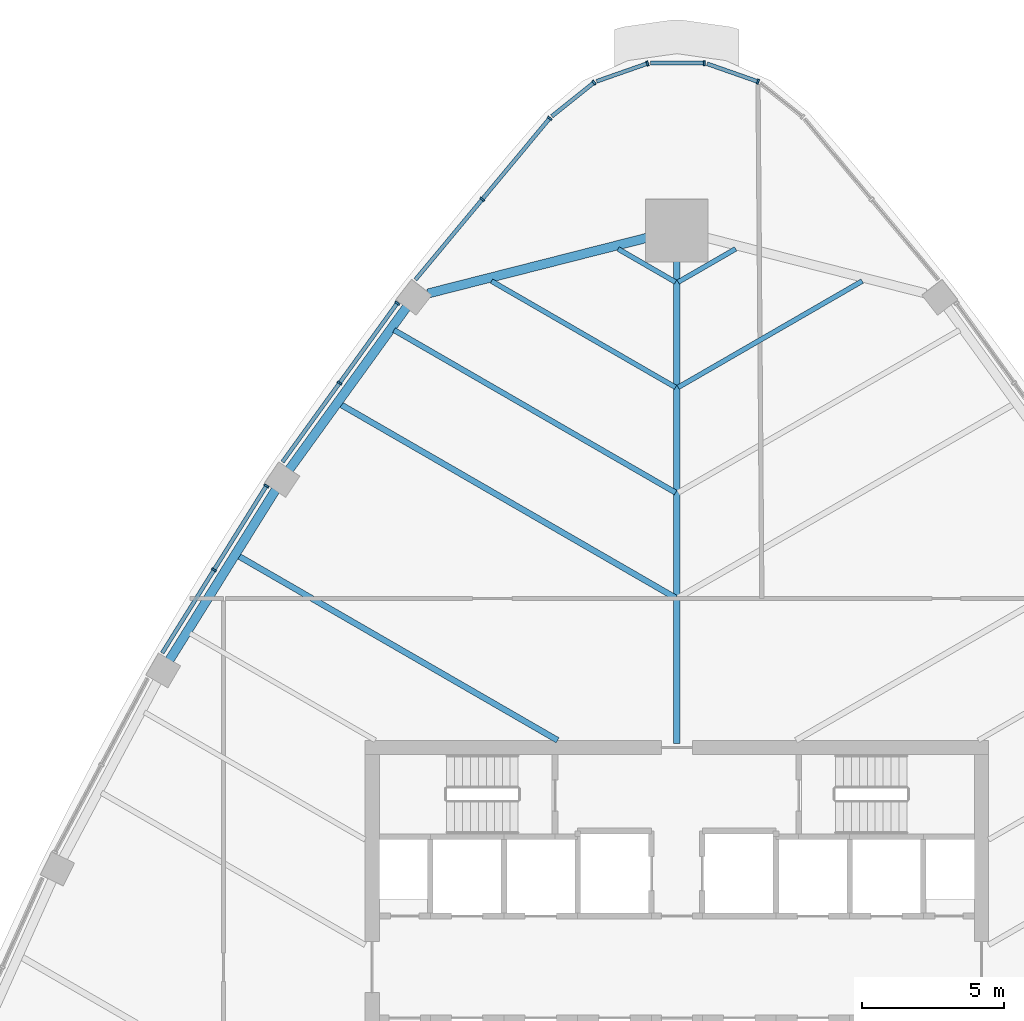
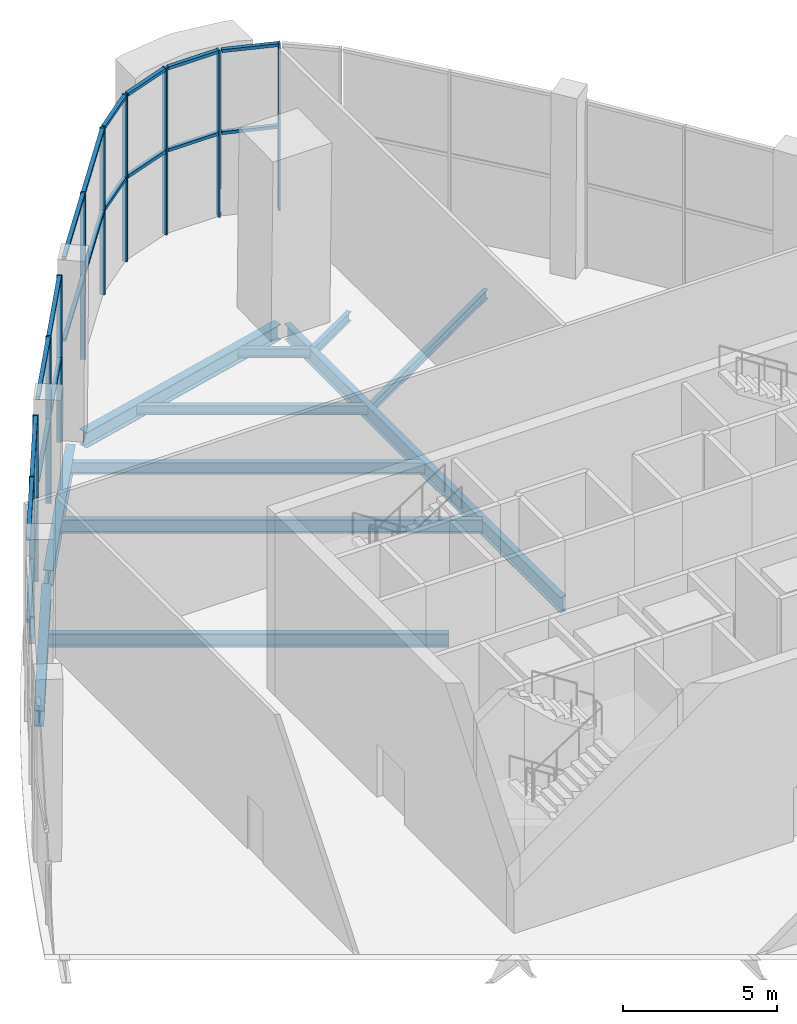
# One storey, part 6 of 15: 30 members, 11 beams, 7 elements without a shape of their own.
"""IFC4 building model written with IfcOpenShell, lengths in metres."""

import ifcopenshell
import ifcopenshell.guid

model = None  # the IFC model being written
_history = None  # IfcOwnerHistory: only IFC2X3 demands one
_inside = {}  # id of a spatial element -> (the spatial element, [elements in it])
_under = {}  # id of a project, library or spatial element -> (it, [spatial elements below it])
_declared = {}  # id of a project -> (the project, [libraries it declares])
_typed = {}  # id of a type object -> (the type object, [elements of that type])
_made_of = {}  # id of a material, layer set ... -> (it, [elements and type objects made of it])


def new_model(schema):
    """Start an empty IFC model of exactly this schema.

    Asked for "IFC4X3", IfcOpenShell would pick the latest addendum, in which some entities
    have other attributes; the version numbers below select the first issue.
    IFC2X3 requires an IfcOwnerHistory on every rooted entity: one is made here for all.
    """
    global model, _history
    if schema == "IFC4X3":
        model = ifcopenshell.file(schema_version=(4, 3, 0, 0))
    else:
        model = ifcopenshell.file(schema=schema)
    _inside.clear()
    _under.clear()
    _declared.clear()
    _typed.clear()
    _made_of.clear()
    _history = None
    if model.schema == "IFC2X3":
        org = make("IfcOrganization", Name="unknown")
        user = make(
            "IfcPersonAndOrganization",
            ThePerson=make("IfcPerson", FamilyName="unknown"),
            TheOrganization=org,
        )
        app = make(
            "IfcApplication",
            ApplicationDeveloper=org,
            Version="unknown",
            ApplicationFullName="unknown",
            ApplicationIdentifier="unknown",
        )
        _history = make(
            "IfcOwnerHistory",
            OwningUser=user,
            OwningApplication=app,
            ChangeAction="ADDED",
            CreationDate=0,
        )
    return model


def make(cls, **values):
    """One entity of the class cls with the attributes given. An attribute that is None is left unset."""
    return model.create_entity(
        cls, **{name: value for name, value in values.items() if value is not None}
    )


def rooted(cls, **values):
    """An entity with a GlobalId (a new one), such as an element, a storey or a relation."""
    return make(cls, GlobalId=ifcopenshell.guid.new(), OwnerHistory=_history, **values)


def si_unit(unit_type, name, prefix=None):
    """IfcSIUnit, for example si_unit("LENGTHUNIT", "METRE", prefix="MILLI")."""
    return make("IfcSIUnit", UnitType=unit_type, Prefix=prefix, Name=name)


def assignment(units):
    """IfcUnitAssignment: the units of a project."""
    return None if units is None else make("IfcUnitAssignment", Units=units)


def point(xyz):
    """IfcCartesianPoint."""
    return None if xyz is None else make("IfcCartesianPoint", Coordinates=xyz)


def direction(xyz):
    """IfcDirection."""
    return None if xyz is None else make("IfcDirection", DirectionRatios=xyz)


def frame(location, z_axis=None, x_axis=None):
    """IfcAxis2Placement3D, a coordinate frame: its origin and axes. An axis left out is left unset."""
    return make(
        "IfcAxis2Placement3D",
        Location=point(location),
        Axis=direction(z_axis),
        RefDirection=direction(x_axis),
    )


def frame_2d(location, x_axis=None):
    """IfcAxis2Placement2D, a coordinate frame in the plane: its origin and x axis."""
    return make(
        "IfcAxis2Placement2D", Location=point(location), RefDirection=direction(x_axis)
    )


def origin():
    """The frame at (0, 0, 0) with its axes left unset."""
    return frame((0.0, 0.0, 0.0))


def origin_2d():
    """The frame at (0, 0) in the plane with its x axis left unset."""
    return frame_2d((0.0, 0.0))


def place(relative_to, where):
    """IfcLocalPlacement: puts the frame where relative to a parent placement (None: the world)."""
    return make(
        "IfcLocalPlacement", PlacementRelTo=relative_to, RelativePlacement=where
    )


def context(
    kind, dimensions, precision=None, world=None, true_north=None, identifier=None
):
    """IfcGeometricRepresentationContext, for example the 3D "Model" context."""
    return make(
        "IfcGeometricRepresentationContext",
        ContextIdentifier=identifier,
        ContextType=kind,
        CoordinateSpaceDimension=dimensions,
        Precision=precision,
        WorldCoordinateSystem=world,
        TrueNorth=true_north,
    )


def subcontext(parent, identifier, kind, view, scale=None):
    """IfcGeometricRepresentationSubContext, for example "Body" below "Model"."""
    return make(
        "IfcGeometricRepresentationSubContext",
        ContextIdentifier=identifier,
        ContextType=kind,
        ParentContext=parent,
        TargetScale=scale,
        TargetView=view,
    )


def project(units=None, contexts=None):
    """IfcProject with its units and contexts."""
    return rooted(
        "IfcProject",
        Name="project",
        RepresentationContexts=contexts,
        UnitsInContext=assignment(units),
    )


def spatial(cls, under=None, at=None, **own):
    """A site, building, storey or space (cls), placed at a placement, below another one or the project."""
    s = rooted(cls, ObjectPlacement=at, **own)
    if under is not None:
        _under.setdefault(under.id(), (under, []))[1].append(s)
    return s


def profile(cls, at=None, kind="AREA", **sizes):
    """A parametric profile (cls). Its sizes go by their IFC names, for example OverallWidth=200.0."""
    return make(cls, ProfileType=kind, Position=at, **sizes)


def rectangle(**sizes):
    """IfcRectangleProfileDef."""
    return profile("IfcRectangleProfileDef", **sizes)


def i_section(**sizes):
    """IfcIShapeProfileDef."""
    return profile("IfcIShapeProfileDef", **sizes)


def extrude(swept, where, along, depth):
    """IfcExtrudedAreaSolid: the profile swept, set in the frame where, extruded along a direction by depth."""
    return make(
        "IfcExtrudedAreaSolid",
        SweptArea=swept,
        Position=where,
        ExtrudedDirection=direction(along),
        Depth=depth,
    )


def shape(context_of_items, identifier, shape_type, items):
    """IfcShapeRepresentation: the items that make up one representation, for example the "Body"."""
    return make(
        "IfcShapeRepresentation",
        ContextOfItems=context_of_items,
        RepresentationIdentifier=identifier,
        RepresentationType=shape_type,
        Items=items,
    )


def material(Name=None, Category=None):
    """IfcMaterial."""
    return make("IfcMaterial", Name=Name, Category=Category)


def layer(
    of_material, thickness, ventilated=None, Name=None, Category=None, Priority=None
):
    """IfcMaterialLayer: one layer of a wall or slab, of a material (None: an air gap)."""
    return make(
        "IfcMaterialLayer",
        Material=of_material,
        LayerThickness=thickness,
        IsVentilated=ventilated,
        Name=Name,
        Category=Category,
        Priority=Priority,
    )


def layer_set(layers, Name=None):
    """IfcMaterialLayerSet."""
    return make("IfcMaterialLayerSet", MaterialLayers=layers, LayerSetName=Name)


def material_profile(
    of_material, cross_section, Name=None, Category=None, Priority=None
):
    """IfcMaterialProfile: a cross section and its material."""
    return make(
        "IfcMaterialProfile",
        Name=Name,
        Material=of_material,
        Profile=cross_section,
        Priority=Priority,
        Category=Category,
    )


def profile_set(profiles, Name=None, composite=None):
    """IfcMaterialProfileSet."""
    return make(
        "IfcMaterialProfileSet",
        Name=Name,
        MaterialProfiles=profiles,
        CompositeProfile=composite,
    )


def made_of(thing, what):
    """Note that an element or type object is made of a material, layer set ...; save() writes the relation."""
    if what is not None:
        _made_of.setdefault(what.id(), (what, []))[1].append(thing)
    return thing


def type_object(cls, material=None, **own):
    """A type object (cls), such as IfcWallType, which elements share."""
    return made_of(rooted(cls, **own), material)


def element(
    cls,
    number,
    at=None,
    inside=None,
    cuts=None,
    type_object=None,
    material=None,
    context=None,
    identifier="Body",
    shape_type=None,
    held_by="IfcProductDefinitionShape",
    body=None,
    shapes=None,
    **own,
):
    """One element of the class cls, such as IfcWall. Its Tag is "e" and its number.

    at: its placement. inside: the storey or other place that contains it. cuts: it is an
    opening in that element (IfcRelVoidsElement). A single representation is given by context,
    identifier, shape_type and body (its items); several are given by shapes. held_by: the class
    of the entity that holds the representations. save() writes the other relations.
    """
    e = rooted(cls, Tag="e%d" % number, ObjectPlacement=at, **own)
    if body is not None:
        shapes = [shape(context, identifier, shape_type, body)]
    if shapes is not None:
        e.Representation = make(held_by, Representations=shapes)
    if inside is not None:
        _inside.setdefault(inside.id(), (inside, []))[1].append(e)
    if cuts is not None:
        rooted(
            "IfcRelVoidsElement", RelatingBuildingElement=cuts, RelatedOpeningElement=e
        )
    if type_object is not None:
        _typed.setdefault(type_object.id(), (type_object, []))[1].append(e)
    return made_of(e, material)


def aggregate(whole, parts):
    """IfcRelAggregates: a whole, such as a stair, and the parts it consists of."""
    return rooted("IfcRelAggregates", RelatingObject=whole, RelatedObjects=parts)


def save(model, path):
    """Write the relations noted so far, then the file.

    IfcRelAggregates (storeys below a building ...), IfcRelContainedInSpatialStructure (elements
    in a storey), IfcRelDefinesByType, IfcRelAssociatesMaterial and IfcRelDeclares: one each for
    every whole, place, type object, material and project.
    """
    for whole, parts in _under.values():
        aggregate(whole, parts)
    for where, things in _inside.values():
        rooted(
            "IfcRelContainedInSpatialStructure",
            RelatedElements=things,
            RelatingStructure=where,
        )
    for kind, things in _typed.values():
        rooted("IfcRelDefinesByType", RelatedObjects=things, RelatingType=kind)
    for what, things in _made_of.values():
        rooted("IfcRelAssociatesMaterial", RelatedObjects=things, RelatingMaterial=what)
    for by, libraries in _declared.values():
        rooted("IfcRelDeclares", RelatingContext=by, RelatedDefinitions=libraries)
    model.write(path)


model = new_model("IFC4")

# Units and contexts
model_context = context("Model", 3, precision=1e-05, world=origin(), true_north=direction((0.0, 1.0)))
body_context = subcontext(model_context, "Body", "Model", "MODEL_VIEW")
ifc_project = project(units=[si_unit("LENGTHUNIT", "METRE"), si_unit("AREAUNIT", "SQUARE_METRE"), si_unit("VOLUMEUNIT", "CUBIC_METRE"), si_unit("PLANEANGLEUNIT", "RADIAN"), si_unit("MASSUNIT", "GRAM", prefix="KILO")], contexts=[model_context])

# Site, building, storey
site_placement = place(None, origin())
site = spatial("IfcSite", under=ifc_project, at=site_placement, CompositionType="ELEMENT")
building_placement = place(site_placement, origin())
building = spatial("IfcBuilding", under=site, at=building_placement, Name="Sierra Prisma Convention Tower", CompositionType="ELEMENT")
storey_placement = place(building_placement, frame((0.0, 0.0, 219.800048828125)))
storey = spatial("IfcBuildingStorey", under=building, at=storey_placement, Name="L49", CompositionType="ELEMENT", Elevation=219.800048828125)

# Curtain wall, member
ifc_material_1 = material(Name="Aluminium and glass curtain wall", Category="aluminium")
ifc_layer = layer(ifc_material_1, 0.179931640625)
ifc_layer_set = layer_set([ifc_layer], Name="CW-4 Sky lobby double-height curtain wall")
curtain_wall_type = type_object("IfcCurtainWallType", Name="CW-4 Sky lobby double-height curtain wall", PredefinedType="NOTDEFINED", material=ifc_layer_set)
curtain_wall_1_placement = place(storey_placement, origin())
curtain_wall_1 = element("IfcCurtainWall", 1, at=curtain_wall_1_placement, inside=storey, type_object=curtain_wall_type, Name="CW-4 N2 L49", PredefinedType="NOTDEFINED")
ifc_material_2 = material(Name="Aluminium 6063-T6 bronze anodised", Category="aluminium")
ifc_material_profile_1 = material_profile(ifc_material_2, rectangle(XDim=0.179931640625, YDim=0.070068359375, at=origin_2d()), Name="ALU MULLION 70x180")
ifc_profile_set_1 = profile_set([ifc_material_profile_1], Name="Aluminium 6063-T6 bronze anodised")
member_type_1 = type_object("IfcMemberType", Name="CW mullion bronze", PredefinedType="MULLION", material=ifc_profile_set_1)
member_1_placement = place(storey_placement, frame((2.86376953125, 31.240478515625, 0.0), z_axis=(0.0, 0.0, 1.0), x_axis=(-0.330867723447, -0.943677142661, 0.0)))
member_1 = element("IfcMember", 2, at=member_1_placement, type_object=member_type_1, Name="CW-4 mullion N2.1", PredefinedType="MULLION", context=body_context, shape_type="SweptSolid", body=[
    extrude(rectangle(XDim=0.179931640625, YDim=0.070068359375, at=origin_2d()), origin(), (0.0, 0.0, 1.0), 6.599853515625),
])

curtain_wall_2_placement = place(storey_placement, origin())
curtain_wall_2 = element("IfcCurtainWall", 3, at=curtain_wall_2_placement, inside=storey, type_object=curtain_wall_type, Name="CW-4 N3 L49", PredefinedType="NOTDEFINED")
member_2_placement = place(storey_placement, frame((0.96826171875, 31.892822265625, 0.0), z_axis=(0.0, 0.0, 1.0), x_axis=(0.0, -1.0, 0.0)))
member_2 = element("IfcMember", 4, at=member_2_placement, type_object=member_type_1, Name="CW-4 mullion N3.1", PredefinedType="MULLION", context=body_context, shape_type="SweptSolid", body=[
    extrude(rectangle(XDim=0.179931640625, YDim=0.070068359375, at=origin_2d()), origin(), (0.0, 0.0, 1.0), 6.599853515625),
])

curtain_wall_3_placement = place(storey_placement, origin())
curtain_wall_3 = element("IfcCurtainWall", 5, at=curtain_wall_3_placement, inside=storey, type_object=curtain_wall_type, Name="CW-4 N4 L49", PredefinedType="NOTDEFINED")
member_3_placement = place(storey_placement, frame((-1.036376953125, 31.881103515625, 0.0), z_axis=(0.0, 0.0, 1.0), x_axis=(0.330867723447, -0.943677142661, 0.0)))
member_3 = element("IfcMember", 6, at=member_3_placement, type_object=member_type_1, Name="CW-4 mullion N4.1", PredefinedType="MULLION", context=body_context, shape_type="SweptSolid", body=[
    extrude(rectangle(XDim=0.179931640625, YDim=0.070068359375, at=origin_2d()), origin(), (0.0, 0.0, 1.0), 6.599853515625),
])

curtain_wall_4_placement = place(storey_placement, origin())
curtain_wall_4 = element("IfcCurtainWall", 7, at=curtain_wall_4_placement, inside=storey, type_object=curtain_wall_type, Name="CW-4 N5 L49", PredefinedType="NOTDEFINED")
member_4_placement = place(storey_placement, frame((-2.924072265625, 31.20703125, 0.0), z_axis=(0.0, 0.0, 1.0), x_axis=(0.624464615736, -0.781053099151, 0.0)))
member_4 = element("IfcMember", 8, at=member_4_placement, type_object=member_type_1, Name="CW-4 mullion N5.1", PredefinedType="MULLION", context=body_context, shape_type="SweptSolid", body=[
    extrude(rectangle(XDim=0.179931640625, YDim=0.070068359375, at=origin_2d()), origin(), (0.0, 0.0, 1.0), 6.599853515625),
])

# Curtain wall, members
curtain_wall_5_placement = place(storey_placement, origin())
curtain_wall_5 = element("IfcCurtainWall", 9, at=curtain_wall_5_placement, inside=storey, type_object=curtain_wall_type, Name="CW-4 NW1 L49", PredefinedType="NOTDEFINED")
member_5_placement = place(storey_placement, frame((-4.486572265625, 29.948974609375, 0.0), z_axis=(0.0, 0.0, 1.0), x_axis=(0.768875572968, -0.639398430787, 0.0)))
member_5 = element("IfcMember", 10, at=member_5_placement, type_object=member_type_1, Name="CW-4 mullion NW1.1", PredefinedType="MULLION", context=body_context, shape_type="SweptSolid", body=[
    extrude(rectangle(XDim=0.179931640625, YDim=0.070068359375, at=origin_2d()), origin(), (0.0, 0.0, 1.0), 6.599853515625),
])
member_6_placement = place(storey_placement, frame((-6.865966796875, 27.087646484375, 0.0), z_axis=(0.0, 0.0, 1.0), x_axis=(0.768875572968, -0.639398430787, 0.0)))
member_6 = element("IfcMember", 11, at=member_6_placement, type_object=member_type_1, Name="CW-4 mullion NW1.2", PredefinedType="MULLION", context=body_context, shape_type="SweptSolid", body=[
    extrude(rectangle(XDim=0.179931640625, YDim=0.070068359375, at=origin_2d()), origin(), (0.0, 0.0, 1.0), 6.599853515625),
])

curtain_wall_6_placement = place(storey_placement, origin())
curtain_wall_6 = element("IfcCurtainWall", 12, at=curtain_wall_6_placement, inside=storey, type_object=curtain_wall_type, Name="CW-4 NW2 L49", PredefinedType="NOTDEFINED")
member_7_placement = place(storey_placement, frame((-9.865478515625, 23.42431640625, 0.0), z_axis=(0.0, 0.0, 1.0), x_axis=(0.810571580605, -0.585639575776, 0.0)))
member_7 = element("IfcMember", 13, at=member_7_placement, type_object=member_type_1, Name="CW-4 mullion NW2.1", PredefinedType="MULLION", context=body_context, shape_type="SweptSolid", body=[
    extrude(rectangle(XDim=0.179931640625, YDim=0.070068359375, at=origin_2d()), origin(), (0.0, 0.0, 1.0), 6.599853515625),
])
member_8_placement = place(storey_placement, frame((-11.900146484375, 20.608154296875, 0.0), z_axis=(0.0, 0.0, 1.0), x_axis=(0.810571580605, -0.585639575776, 0.0)))
member_8 = element("IfcMember", 14, at=member_8_placement, type_object=member_type_1, Name="CW-4 mullion NW2.2", PredefinedType="MULLION", context=body_context, shape_type="SweptSolid", body=[
    extrude(rectangle(XDim=0.179931640625, YDim=0.070068359375, at=origin_2d()), origin(), (0.0, 0.0, 1.0), 6.599853515625),
])

curtain_wall_7_placement = place(storey_placement, origin())
curtain_wall_7 = element("IfcCurtainWall", 15, at=curtain_wall_7_placement, inside=storey, type_object=curtain_wall_type, Name="CW-4 NW3 L49", PredefinedType="NOTDEFINED")
member_9_placement = place(storey_placement, frame((-14.482177734375, 16.976806640625, 0.0), z_axis=(0.0, 0.0, 1.0), x_axis=(0.848515799689, -0.529170046089, 0.0)))
member_9 = element("IfcMember", 16, at=member_9_placement, type_object=member_type_1, Name="CW-4 mullion NW3.1", PredefinedType="MULLION", context=body_context, shape_type="SweptSolid", body=[
    extrude(rectangle(XDim=0.179931640625, YDim=0.070068359375, at=origin_2d()), origin(), (0.0, 0.0, 1.0), 6.599853515625),
])
member_10_placement = place(storey_placement, frame((-16.3291015625, 14.015380859375, 0.0), z_axis=(0.0, 0.0, 1.0), x_axis=(0.848515799689, -0.529170046089, 0.0)))
member_10 = element("IfcMember", 17, at=member_10_placement, type_object=member_type_1, Name="CW-4 mullion NW3.2", PredefinedType="MULLION", context=body_context, shape_type="SweptSolid", body=[
    extrude(rectangle(XDim=0.179931640625, YDim=0.070068359375, at=origin_2d()), origin(), (0.0, 0.0, 1.0), 6.599853515625),
])

# Member
ifc_material_3 = material(Name="Aluminium 6063-T6 bronze anodised", Category="aluminium")
ifc_material_profile_2 = material_profile(ifc_material_3, rectangle(XDim=0.139892578125, YDim=0.1201171875, at=origin_2d()), Name="ALU TRANSOM 120x140")
ifc_profile_set_2 = profile_set([ifc_material_profile_2], Name="Aluminium 6063-T6 bronze anodised")
member_type_2 = type_object("IfcMemberType", Name="CW transom bronze", PredefinedType="USERDEFINED", material=ifc_profile_set_2)
member_11_placement = place(storey_placement, frame((2.830810546875, 31.251953125, 6.5400390625), z_axis=(-0.943664482072, 0.330903830858, 0.0), x_axis=(-0.330903830858, -0.943664482072, 0.0)))
member_11 = element("IfcMember", 18, at=member_11_placement, type_object=member_type_2, Name="CW-4 transom N2.1", ObjectType="TRANSOM", PredefinedType="USERDEFINED", context=body_context, shape_type="SweptSolid", body=[
    extrude(rectangle(XDim=0.139892578125, YDim=0.1201171875, at=origin_2d()), origin(), (0.0, 0.0, 1.0), 1.86669921875),
])

member_12_placement = place(storey_placement, frame((2.830810546875, 31.251953125, 3.300048828125), z_axis=(-0.943664482072, 0.330903830858, 0.0), x_axis=(-0.330903830858, -0.943664482072, 0.0)))
member_12 = element("IfcMember", 19, at=member_12_placement, type_object=member_type_2, Name="CW-4 transom N2.1 mid", ObjectType="TRANSOM", PredefinedType="USERDEFINED", context=body_context, shape_type="SweptSolid", body=[
    extrude(rectangle(XDim=0.139892578125, YDim=0.1201171875, at=origin_2d()), origin(), (0.0, 0.0, 1.0), 1.86669921875),
])

aggregate(curtain_wall_1, [member_1, member_11, member_12])

member_13_placement = place(storey_placement, frame((0.933349609375, 31.892822265625, 6.5400390625), z_axis=(-1.0, 0.0, 0.0), x_axis=(0.0, -1.0, 0.0)))
member_13 = element("IfcMember", 20, at=member_13_placement, type_object=member_type_2, Name="CW-4 transom N3.1", ObjectType="TRANSOM", PredefinedType="USERDEFINED", context=body_context, shape_type="SweptSolid", body=[
    extrude(rectangle(XDim=0.139892578125, YDim=0.1201171875, at=origin_2d()), origin(), (0.0, 0.0, 1.0), 1.86669921875),
])

member_14_placement = place(storey_placement, frame((0.933349609375, 31.892822265625, 3.300048828125), z_axis=(-1.0, 0.0, 0.0), x_axis=(0.0, -1.0, 0.0)))
member_14 = element("IfcMember", 21, at=member_14_placement, type_object=member_type_2, Name="CW-4 transom N3.1 mid", ObjectType="TRANSOM", PredefinedType="USERDEFINED", context=body_context, shape_type="SweptSolid", body=[
    extrude(rectangle(XDim=0.139892578125, YDim=0.1201171875, at=origin_2d()), origin(), (0.0, 0.0, 1.0), 1.86669921875),
])

aggregate(curtain_wall_2, [member_2, member_13, member_14])

member_15_placement = place(storey_placement, frame((-1.0693359375, 31.86962890625, 6.5400390625), z_axis=(-0.943664482072, -0.330903830858, 0.0), x_axis=(0.330903830858, -0.943664482072, 0.0)))
member_15 = element("IfcMember", 22, at=member_15_placement, type_object=member_type_2, Name="CW-4 transom N4.1", ObjectType="TRANSOM", PredefinedType="USERDEFINED", context=body_context, shape_type="SweptSolid", body=[
    extrude(rectangle(XDim=0.139892578125, YDim=0.1201171875, at=origin_2d()), origin(), (0.0, 0.0, 1.0), 1.86669921875),
])

member_16_placement = place(storey_placement, frame((-1.0693359375, 31.86962890625, 3.300048828125), z_axis=(-0.943664482072, -0.330903830858, 0.0), x_axis=(0.330903830858, -0.943664482072, 0.0)))
member_16 = element("IfcMember", 23, at=member_16_placement, type_object=member_type_2, Name="CW-4 transom N4.1 mid", ObjectType="TRANSOM", PredefinedType="USERDEFINED", context=body_context, shape_type="SweptSolid", body=[
    extrude(rectangle(XDim=0.139892578125, YDim=0.1201171875, at=origin_2d()), origin(), (0.0, 0.0, 1.0), 1.86669921875),
])

aggregate(curtain_wall_3, [member_3, member_15, member_16])

member_17_placement = place(storey_placement, frame((-2.951416015625, 31.185302734375, 6.5400390625), z_axis=(-0.781034652736, -0.624487687009, 0.0), x_axis=(0.624487687009, -0.781034652736, 0.0)))
member_17 = element("IfcMember", 24, at=member_17_placement, type_object=member_type_2, Name="CW-4 transom N5.1", ObjectType="TRANSOM", PredefinedType="USERDEFINED", context=body_context, shape_type="SweptSolid", body=[
    extrude(rectangle(XDim=0.139892578125, YDim=0.1201171875, at=origin_2d()), origin(), (0.0, 0.0, 1.0), 1.86669921875),
])

member_18_placement = place(storey_placement, frame((-2.951416015625, 31.185302734375, 3.300048828125), z_axis=(-0.781034652736, -0.624487687009, 0.0), x_axis=(0.624487687009, -0.781034652736, 0.0)))
member_18 = element("IfcMember", 25, at=member_18_placement, type_object=member_type_2, Name="CW-4 transom N5.1 mid", ObjectType="TRANSOM", PredefinedType="USERDEFINED", context=body_context, shape_type="SweptSolid", body=[
    extrude(rectangle(XDim=0.139892578125, YDim=0.1201171875, at=origin_2d()), origin(), (0.0, 0.0, 1.0), 1.86669921875),
])

aggregate(curtain_wall_4, [member_4, member_17, member_18])

member_19_placement = place(storey_placement, frame((-4.5087890625, 29.922119140625, 6.5400390625), z_axis=(-0.63938173109, -0.768889460162, 0.0), x_axis=(0.768889460162, -0.63938173109, 0.0)))
member_19 = element("IfcMember", 26, at=member_19_placement, type_object=member_type_2, Name="CW-4 transom NW1.1", ObjectType="TRANSOM", PredefinedType="USERDEFINED", context=body_context, shape_type="SweptSolid", body=[
    extrude(rectangle(XDim=0.139892578125, YDim=0.1201171875, at=origin_2d()), origin(), (0.0, 0.0, 1.0), 3.651611328125),
])

member_20_placement = place(storey_placement, frame((-4.5087890625, 29.922119140625, 3.300048828125), z_axis=(-0.63938173109, -0.768889460162, 0.0), x_axis=(0.768889460162, -0.63938173109, 0.0)))
member_20 = element("IfcMember", 27, at=member_20_placement, type_object=member_type_2, Name="CW-4 transom NW1.1 mid", ObjectType="TRANSOM", PredefinedType="USERDEFINED", context=body_context, shape_type="SweptSolid", body=[
    extrude(rectangle(XDim=0.139892578125, YDim=0.1201171875, at=origin_2d()), origin(), (0.0, 0.0, 1.0), 3.651611328125),
])

member_21_placement = place(storey_placement, frame((-6.888427734375, 27.060791015625, 6.5400390625), z_axis=(-0.63938173109, -0.768889460162, 0.0), x_axis=(0.768889460162, -0.63938173109, 0.0)))
member_21 = element("IfcMember", 28, at=member_21_placement, type_object=member_type_2, Name="CW-4 transom NW1.2", ObjectType="TRANSOM", PredefinedType="USERDEFINED", context=body_context, shape_type="SweptSolid", body=[
    extrude(rectangle(XDim=0.139892578125, YDim=0.1201171875, at=origin_2d()), origin(), (0.0, 0.0, 1.0), 3.651611328125),
])

member_22_placement = place(storey_placement, frame((-6.888427734375, 27.060791015625, 3.300048828125), z_axis=(-0.63938173109, -0.768889460162, 0.0), x_axis=(0.768889460162, -0.63938173109, 0.0)))
member_22 = element("IfcMember", 29, at=member_22_placement, type_object=member_type_2, Name="CW-4 transom NW1.2 mid", ObjectType="TRANSOM", PredefinedType="USERDEFINED", context=body_context, shape_type="SweptSolid", body=[
    extrude(rectangle(XDim=0.139892578125, YDim=0.1201171875, at=origin_2d()), origin(), (0.0, 0.0, 1.0), 3.651611328125),
])

aggregate(curtain_wall_5, [member_5, member_6, member_19, member_20, member_21, member_22])

member_23_placement = place(storey_placement, frame((-9.885986328125, 23.39599609375, 6.5400390625), z_axis=(-0.585618846713, -0.810586556991, 0.0), x_axis=(0.810586556991, -0.585618846713, 0.0)))
member_23 = element("IfcMember", 30, at=member_23_placement, type_object=member_type_2, Name="CW-4 transom NW2.1", ObjectType="TRANSOM", PredefinedType="USERDEFINED", context=body_context, shape_type="SweptSolid", body=[
    extrude(rectangle(XDim=0.139892578125, YDim=0.1201171875, at=origin_2d()), origin(), (0.0, 0.0, 1.0), 3.404296875),
])

member_24_placement = place(storey_placement, frame((-9.885986328125, 23.39599609375, 3.300048828125), z_axis=(-0.585618846713, -0.810586556991, 0.0), x_axis=(0.810586556991, -0.585618846713, 0.0)))
member_24 = element("IfcMember", 31, at=member_24_placement, type_object=member_type_2, Name="CW-4 transom NW2.1 mid", ObjectType="TRANSOM", PredefinedType="USERDEFINED", context=body_context, shape_type="SweptSolid", body=[
    extrude(rectangle(XDim=0.139892578125, YDim=0.1201171875, at=origin_2d()), origin(), (0.0, 0.0, 1.0), 3.404296875),
])

member_25_placement = place(storey_placement, frame((-11.920654296875, 20.579833984375, 6.5400390625), z_axis=(-0.585665963655, -0.810552514656, 0.0), x_axis=(0.810552514656, -0.585665963655, 0.0)))
member_25 = element("IfcMember", 32, at=member_25_placement, type_object=member_type_2, Name="CW-4 transom NW2.2", ObjectType="TRANSOM", PredefinedType="USERDEFINED", context=body_context, shape_type="SweptSolid", body=[
    extrude(rectangle(XDim=0.139892578125, YDim=0.1201171875, at=origin_2d()), origin(), (0.0, 0.0, 1.0), 3.404541015625),
])

member_26_placement = place(storey_placement, frame((-11.920654296875, 20.579833984375, 3.300048828125), z_axis=(-0.585665963655, -0.810552514656, 0.0), x_axis=(0.810552514656, -0.585665963655, 0.0)))
member_26 = element("IfcMember", 33, at=member_26_placement, type_object=member_type_2, Name="CW-4 transom NW2.2 mid", ObjectType="TRANSOM", PredefinedType="USERDEFINED", context=body_context, shape_type="SweptSolid", body=[
    extrude(rectangle(XDim=0.139892578125, YDim=0.1201171875, at=origin_2d()), origin(), (0.0, 0.0, 1.0), 3.404541015625),
])

aggregate(curtain_wall_6, [member_7, member_8, member_23, member_24, member_25, member_26])

member_27_placement = place(storey_placement, frame((-14.500732421875, 16.947265625, 6.5400390625), z_axis=(-0.529126081823, -0.848543216068, 0.0), x_axis=(0.848543216068, -0.529126081823, 0.0)))
member_27 = element("IfcMember", 34, at=member_27_placement, type_object=member_type_2, Name="CW-4 transom NW3.1", ObjectType="TRANSOM", PredefinedType="USERDEFINED", context=body_context, shape_type="SweptSolid", body=[
    extrude(rectangle(XDim=0.139892578125, YDim=0.1201171875, at=origin_2d()), origin(), (0.0, 0.0, 1.0), 3.42041015625),
])

member_28_placement = place(storey_placement, frame((-14.500732421875, 16.947265625, 3.300048828125), z_axis=(-0.529126081823, -0.848543216068, 0.0), x_axis=(0.848543216068, -0.529126081823, 0.0)))
member_28 = element("IfcMember", 35, at=member_28_placement, type_object=member_type_2, Name="CW-4 transom NW3.1 mid", ObjectType="TRANSOM", PredefinedType="USERDEFINED", context=body_context, shape_type="SweptSolid", body=[
    extrude(rectangle(XDim=0.139892578125, YDim=0.1201171875, at=origin_2d()), origin(), (0.0, 0.0, 1.0), 3.42041015625),
])

member_29_placement = place(storey_placement, frame((-16.34765625, 13.985595703125, 6.5400390625), z_axis=(-0.529126081823, -0.848543216068, 0.0), x_axis=(0.848543216068, -0.529126081823, 0.0)))
member_29 = element("IfcMember", 36, at=member_29_placement, type_object=member_type_2, Name="CW-4 transom NW3.2", ObjectType="TRANSOM", PredefinedType="USERDEFINED", context=body_context, shape_type="SweptSolid", body=[
    extrude(rectangle(XDim=0.139892578125, YDim=0.1201171875, at=origin_2d()), origin(), (0.0, 0.0, 1.0), 3.42041015625),
])

member_30_placement = place(storey_placement, frame((-16.34765625, 13.985595703125, 3.300048828125), z_axis=(-0.529126081823, -0.848543216068, 0.0), x_axis=(0.848543216068, -0.529126081823, 0.0)))
member_30 = element("IfcMember", 37, at=member_30_placement, type_object=member_type_2, Name="CW-4 transom NW3.2 mid", ObjectType="TRANSOM", PredefinedType="USERDEFINED", context=body_context, shape_type="SweptSolid", body=[
    extrude(rectangle(XDim=0.139892578125, YDim=0.1201171875, at=origin_2d()), origin(), (0.0, 0.0, 1.0), 3.42041015625),
])

aggregate(curtain_wall_7, [member_9, member_10, member_27, member_28, member_29, member_30])

# Beams
ifc_material_4 = material(Name="Steel ASTM A992 Gr 50", Category="steel")
ifc_material_profile_3 = material_profile(ifc_material_4, i_section(OverallWidth=0.172119140625, OverallDepth=0.35791015625, WebThickness=0.0078125, FlangeThickness=0.01318359375, at=origin_2d()), Name="W360x57")
ifc_profile_set_3 = profile_set([ifc_material_profile_3], Name="Steel ASTM A992 Gr 50")
beam_type_1 = type_object("IfcBeamType", Name="Floor joist W360x57", PredefinedType="JOIST", material=ifc_profile_set_3)
beam_1_placement = place(storey_placement, frame((6.540283203125, 24.203857421875, -0.3291015625), z_axis=(-0.866026736121, -0.499997692318, 0.0), x_axis=(0.499997692318, -0.866026736121, 0.0)))
element("IfcBeam", 38, at=beam_1_placement, inside=storey, type_object=beam_type_1, Name="Floor joist L49 NE13", PredefinedType="JOIST", context=body_context, shape_type="SweptSolid", body=[
    extrude(i_section(OverallWidth=0.172119140625, OverallDepth=0.35791015625, WebThickness=0.0078125, FlangeThickness=0.01318359375, at=origin_2d()), origin(), (0.0, 0.0, 1.0), 7.4990234375),
])
for number, where, z_axis, x_axis, name in (
    (39, (2.074462890625, 25.339599609375, -0.3291015625), (-0.86603458294, -0.499984100898, 0.0), (0.499984100898, -0.86603458294, 0.0), "Floor joist L49 NE14"),
    (40, (-2.074462890625, 25.339599609375, -0.3291015625), (0.86603458294, -0.499984100898, 0.0), (0.499984100898, 0.86603458294, 0.0), "Floor joist L49 NW01"),
):
    element("IfcBeam", number, at=place(storey_placement, frame(where, z_axis=z_axis, x_axis=x_axis)), inside=storey, type_object=beam_type_1, Name=name, PredefinedType="JOIST", context=body_context, shape_type="SweptSolid", body=[
        extrude(i_section(OverallWidth=0.172119140625, OverallDepth=0.35791015625, WebThickness=0.0078125, FlangeThickness=0.01318359375, at=origin_2d()), origin(), (0.0, 0.0, 1.0), 2.34228515625),
    ])
beam_2_placement = place(storey_placement, frame((-6.540283203125, 24.203857421875, -0.3291015625), z_axis=(0.866026736121, -0.499997692318, 0.0), x_axis=(0.499997692318, 0.866026736121, 0.0)))
element("IfcBeam", 41, at=beam_2_placement, inside=storey, type_object=beam_type_1, Name="Floor joist L49 NW02", PredefinedType="JOIST", context=body_context, shape_type="SweptSolid", body=[
    extrude(i_section(OverallWidth=0.172119140625, OverallDepth=0.35791015625, WebThickness=0.0078125, FlangeThickness=0.01318359375, at=origin_2d()), origin(), (0.0, 0.0, 1.0), 7.4990234375),
])
ifc_material_5 = material(Name="Steel ASTM A992 Gr 50", Category="steel")
ifc_material_profile_4 = material_profile(ifc_material_5, i_section(OverallWidth=0.18994140625, OverallDepth=0.45703125, WebThickness=0.009033203125, FlangeThickness=0.014404296875, at=origin_2d()), Name="W460x74")
ifc_profile_set_4 = profile_set([ifc_material_profile_4], Name="Steel ASTM A992 Gr 50")
beam_type_2 = type_object("IfcBeamType", Name="Floor joist W460x74", PredefinedType="JOIST", material=ifc_profile_set_4)
beam_3_placement = place(storey_placement, frame((-9.980224609375, 22.475830078125, -0.378662109375), z_axis=(0.866025033342, -0.500000641624, 0.0), x_axis=(0.500000641624, 0.866025033342, 0.0)))
element("IfcBeam", 42, at=beam_3_placement, inside=storey, type_object=beam_type_2, Name="Floor joist L49 NW03", PredefinedType="JOIST", context=body_context, shape_type="SweptSolid", body=[
    extrude(i_section(OverallWidth=0.18994140625, OverallDepth=0.45703125, WebThickness=0.009033203125, FlangeThickness=0.014404296875, at=origin_2d()), origin(), (0.0, 0.0, 1.0), 11.47119140625),
])
ifc_material_6 = material(Name="Steel ASTM A992 Gr 50", Category="steel")
ifc_material_profile_5 = material_profile(ifc_material_6, i_section(OverallWidth=0.208984375, OverallDepth=0.532958984375, WebThickness=0.01025390625, FlangeThickness=0.015625, at=origin_2d()), Name="W530x92")
ifc_profile_set_5 = profile_set([ifc_material_profile_5], Name="Steel ASTM A992 Gr 50")
beam_type_3 = type_object("IfcBeamType", Name="Floor joist W530x92", PredefinedType="JOIST", material=ifc_profile_set_5)
beam_4_placement = place(storey_placement, frame((-11.873779296875, 19.85498046875, -0.41650390625), z_axis=(0.866024540661, -0.50000149497, 0.0), x_axis=(0.50000149497, 0.866024540661, 0.0)))
element("IfcBeam", 43, at=beam_4_placement, inside=storey, type_object=beam_type_3, Name="Floor joist L49 NW04", PredefinedType="JOIST", context=body_context, shape_type="SweptSolid", body=[
    extrude(i_section(OverallWidth=0.208984375, OverallDepth=0.532958984375, WebThickness=0.01025390625, FlangeThickness=0.015625, at=origin_2d()), origin(), (0.0, 0.0, 1.0), 13.65771484375),
])
beam_5_placement = place(storey_placement, frame((-15.4775390625, 14.507080078125, -0.41650390625), z_axis=(0.866028451357, -0.499994721413, 0.0), x_axis=(0.499994721413, 0.866028451357, 0.0)))
element("IfcBeam", 44, at=beam_5_placement, inside=storey, type_object=beam_type_3, Name="Floor joist L49 NW06", PredefinedType="JOIST", context=body_context, shape_type="SweptSolid", body=[
    extrude(i_section(OverallWidth=0.208984375, OverallDepth=0.532958984375, WebThickness=0.01025390625, FlangeThickness=0.015625, at=origin_2d()), origin(), (0.0, 0.0, 1.0), 13.014404296875),
])
ifc_material_7 = material(Name="Steel ASTM A992 Gr 50", Category="steel")
ifc_material_profile_6 = material_profile(ifc_material_7, i_section(OverallWidth=0.22998046875, OverallDepth=0.616943359375, WebThickness=0.01318359375, FlangeThickness=0.022216796875, at=origin_2d()), Name="W610x140")
ifc_profile_set_6 = profile_set([ifc_material_profile_6], Name="Steel ASTM A992 Gr 50")
beam_type_4 = type_object("IfcBeamType", Name="Radial girder W610x140", PredefinedType="BEAM", material=ifc_profile_set_6)
beam_6_placement = place(storey_placement, frame((0.0, 25.739013671875, -0.45849609375), z_axis=(0.0, -1.0, 0.0), x_axis=(1.0, 0.0, 0.0)))
element("IfcBeam", 45, at=beam_6_placement, inside=storey, type_object=beam_type_4, Name="Radial girder L49 N", PredefinedType="BEAM", context=body_context, shape_type="SweptSolid", body=[
    extrude(i_section(OverallWidth=0.22998046875, OverallDepth=0.616943359375, WebThickness=0.01318359375, FlangeThickness=0.022216796875, at=origin_2d()), origin(), (0.0, 0.0, 1.0), 17.859130859375),
])
ifc_material_8 = material(Name="Steel ASTM A992 Gr 50", Category="steel")
ifc_material_profile_7 = material_profile(ifc_material_8, i_section(OverallWidth=0.324951171875, OverallDepth=0.615966796875, WebThickness=0.013916015625, FlangeThickness=0.021484375, at=origin_2d()), Name="W610x174")
ifc_profile_set_7 = profile_set([ifc_material_profile_7], Name="Steel ASTM A992 Gr 50")
beam_type_5 = type_object("IfcBeamType", Name="Spandrel beam W610x174", PredefinedType="BEAM", material=ifc_profile_set_7)
beam_7_placement = place(storey_placement, frame((-0.260009765625, 25.932861328125, -0.4580078125), z_axis=(-0.969137954015, -0.246519017699, 0.0), x_axis=(0.246519017699, -0.969137954015, 0.0)))
element("IfcBeam", 46, at=beam_7_placement, inside=storey, type_object=beam_type_5, Name="Spandrel L49-13", PredefinedType="BEAM", context=body_context, shape_type="SweptSolid", body=[
    extrude(i_section(OverallWidth=0.324951171875, OverallDepth=0.615966796875, WebThickness=0.013916015625, FlangeThickness=0.021484375, at=origin_2d()), origin(), (0.0, 0.0, 1.0), 8.792236328125),
])
beam_8_placement = place(storey_placement, frame((-9.501708984375, 23.33056640625, -0.4580078125), z_axis=(-0.585653210857, -0.810561729057, 0.0), x_axis=(0.810561729057, -0.585653210857, 0.0)))
element("IfcBeam", 47, at=beam_8_placement, inside=storey, type_object=beam_type_5, Name="Spandrel L49-14", PredefinedType="BEAM", context=body_context, shape_type="SweptSolid", body=[
    extrude(i_section(OverallWidth=0.324951171875, OverallDepth=0.615966796875, WebThickness=0.013916015625, FlangeThickness=0.021484375, at=origin_2d()), origin(), (0.0, 0.0, 1.0), 7.178466796875),
])
beam_9_placement = place(storey_placement, frame((-14.129638671875, 16.880859375, -0.4580078125), z_axis=(-0.529188583051, -0.848504238981, 0.0), x_axis=(0.848504238981, -0.529188583051, 0.0)))
element("IfcBeam", 48, at=beam_9_placement, inside=storey, type_object=beam_type_5, Name="Spandrel L49-15", PredefinedType="BEAM", context=body_context, shape_type="SweptSolid", body=[
    extrude(i_section(OverallWidth=0.324951171875, OverallDepth=0.615966796875, WebThickness=0.013916015625, FlangeThickness=0.021484375, at=origin_2d()), origin(), (0.0, 0.0, 1.0), 7.1787109375),
])

save(model, "model.ifc")
